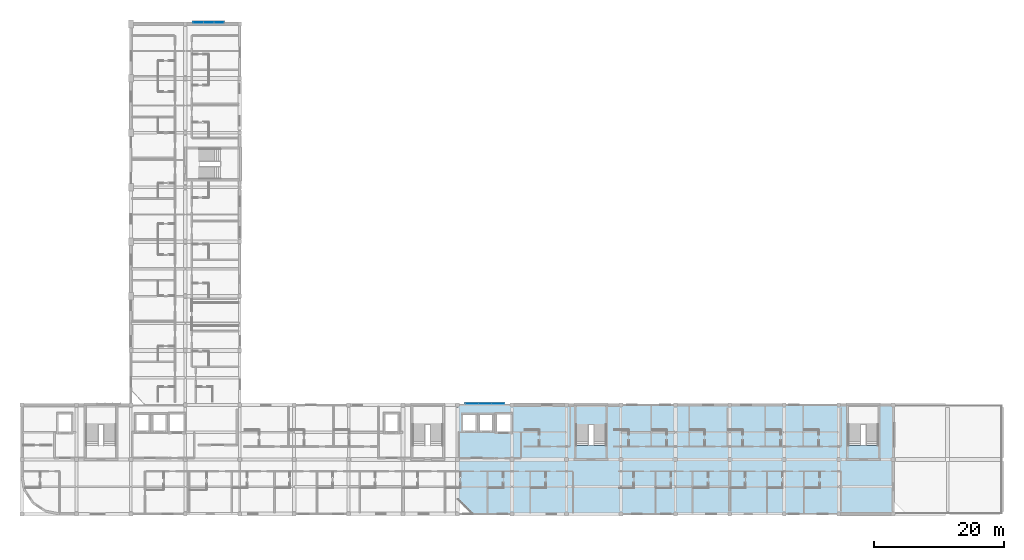
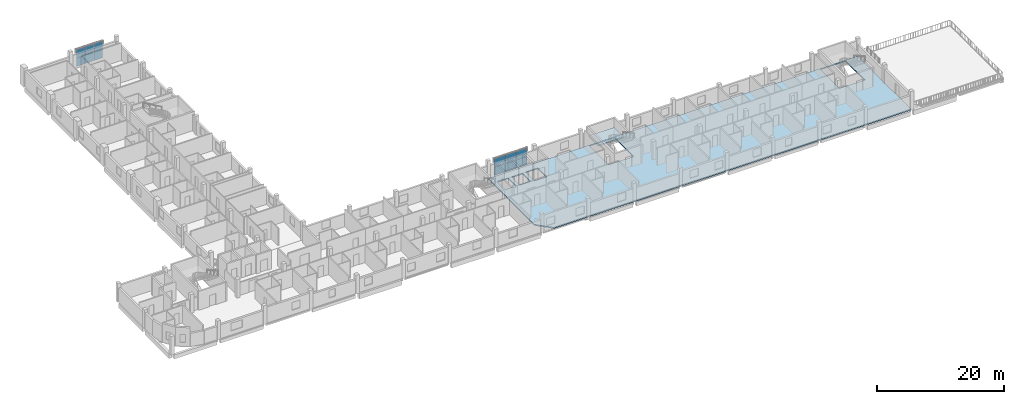
# One storey, part 9 of 25: 12 plates, 2 slabs, 3 elements without a shape of their own.
"""IFC4 building model written with IfcOpenShell, lengths in metres."""

from ifc_helpers import new_model, si_unit, derived_unit, direction, frame, origin, origin_2d, place, context, subcontext, project, spatial, polyline, rectangle, outline, extrude, material, layer, layer_set, type_object, element, aggregate, save


model = new_model("IFC4")

# Units and contexts
model_context = context("Model", 3, precision=1e-05, world=origin(), true_north=direction((0.0, 1.0)))
body_context = subcontext(model_context, "Body", "Model", "MODEL_VIEW")
ifc_project = project(units=[si_unit("LENGTHUNIT", "METRE"), si_unit("AREAUNIT", "SQUARE_METRE"), si_unit("VOLUMEUNIT", "CUBIC_METRE"), si_unit("PLANEANGLEUNIT", "RADIAN"), si_unit("MASSUNIT", "GRAM", prefix="KILO"), derived_unit("THERMALTRANSMITTANCEUNIT", [(si_unit("POWERUNIT", "WATT"), 1), (si_unit("LENGTHUNIT", "METRE"), -2), (si_unit("THERMODYNAMICTEMPERATUREUNIT", "KELVIN"), -1)])], contexts=[model_context])

# Site, building, storey
site_placement = place(None, origin())
site = spatial("IfcSite", under=ifc_project, at=site_placement, CompositionType="ELEMENT")
building_placement = place(site_placement, origin())
building = spatial("IfcBuilding", under=site, at=building_placement, Name="Barrovel Congress Hotel", CompositionType="ELEMENT")
storey_placement = place(building_placement, frame((0.0, 0.0, 25.5)))
storey = spatial("IfcBuildingStorey", under=building, at=storey_placement, Name="L06", CompositionType="ELEMENT", Elevation=25.5)

# Curtain wall, plates
ifc_material_1 = material(Name="Anodised Aluminium Alloy 6063-T6", Category="aluminium")
curtain_wall_type_1 = type_object("IfcCurtainWallType", Name="CW-UN-4800x3200", PredefinedType="USERDEFINED", material=ifc_material_1)
curtain_wall_1_placement = place(storey_placement, origin())
curtain_wall_1 = element("IfcCurtainWall", 1, at=curtain_wall_1_placement, inside=storey, type_object=curtain_wall_type_1, Name="CW:L06:UN-2", ObjectType="UNITISED CURTAIN WALL", PredefinedType="USERDEFINED")
ifc_material_2 = material(Name="Double Low-E Insulated Glazing", Category="glass")
ifc_layer_1 = layer(ifc_material_2, 0.028076171875)
ifc_layer_set_1 = layer_set([ifc_layer_1], Name="Double Low-E Insulated Glazing")
plate_type = type_object("IfcPlateType", Name="CWP-28", PredefinedType="CURTAIN_PANEL", material=ifc_layer_set_1)
plate_1_placement = place(storey_placement, frame((44.0, 80.02001953125, 0.030029296875), z_axis=(0.0, 0.0, 1.0), x_axis=(1.0, 0.0, 0.0)))
plate_1 = element("IfcPlate", 2, at=plate_1_placement, type_object=plate_type, Name="CW:L06:UN-2:P0-0", PredefinedType="CURTAIN_PANEL", context=body_context, shape_type="SweptSolid", body=[
    extrude(rectangle(XDim=1.5400390625, YDim=0.028076171875, at=origin_2d()), origin(), (0.0, 0.0, 1.0), 1.56494140625),
])
plate_2_placement = place(storey_placement, frame((44.0, 80.02001953125, 1.655029296875), z_axis=(0.0, 0.0, 1.0), x_axis=(1.0, 0.0, 0.0)))
plate_2 = element("IfcPlate", 3, at=plate_2_placement, type_object=plate_type, Name="CW:L06:UN-2:P0-1", PredefinedType="CURTAIN_PANEL", context=body_context, shape_type="SweptSolid", body=[
    extrude(rectangle(XDim=1.5400390625, YDim=0.028076171875, at=origin_2d()), origin(), (0.0, 0.0, 1.0), 1.56494140625),
])
plate_3_placement = place(storey_placement, frame((45.60009765625, 80.02001953125, 0.030029296875), z_axis=(0.0, 0.0, 1.0), x_axis=(1.0, 0.0, 0.0)))
plate_3 = element("IfcPlate", 4, at=plate_3_placement, type_object=plate_type, Name="CW:L06:UN-2:P1-0", PredefinedType="CURTAIN_PANEL", context=body_context, shape_type="SweptSolid", body=[
    extrude(rectangle(XDim=1.5400390625, YDim=0.028076171875, at=origin_2d()), origin(), (0.0, 0.0, 1.0), 1.56494140625),
])
plate_4_placement = place(storey_placement, frame((45.60009765625, 80.02001953125, 1.655029296875), z_axis=(0.0, 0.0, 1.0), x_axis=(1.0, 0.0, 0.0)))
plate_4 = element("IfcPlate", 5, at=plate_4_placement, type_object=plate_type, Name="CW:L06:UN-2:P1-1", PredefinedType="CURTAIN_PANEL", context=body_context, shape_type="SweptSolid", body=[
    extrude(rectangle(XDim=1.5400390625, YDim=0.028076171875, at=origin_2d()), origin(), (0.0, 0.0, 1.0), 1.56494140625),
])
plate_5_placement = place(storey_placement, frame((47.199951171875, 80.02001953125, 0.030029296875), z_axis=(0.0, 0.0, 1.0), x_axis=(1.0, 0.0, 0.0)))
plate_5 = element("IfcPlate", 6, at=plate_5_placement, type_object=plate_type, Name="CW:L06:UN-2:P2-0", PredefinedType="CURTAIN_PANEL", context=body_context, shape_type="SweptSolid", body=[
    extrude(rectangle(XDim=1.5400390625, YDim=0.028076171875, at=origin_2d()), origin(), (0.0, 0.0, 1.0), 1.56494140625),
])
plate_6_placement = place(storey_placement, frame((47.199951171875, 80.02001953125, 1.655029296875), z_axis=(0.0, 0.0, 1.0), x_axis=(1.0, 0.0, 0.0)))
plate_6 = element("IfcPlate", 7, at=plate_6_placement, type_object=plate_type, Name="CW:L06:UN-2:P2-1", PredefinedType="CURTAIN_PANEL", context=body_context, shape_type="SweptSolid", body=[
    extrude(rectangle(XDim=1.5400390625, YDim=0.028076171875, at=origin_2d()), origin(), (0.0, 0.0, 1.0), 1.56494140625),
])
aggregate(curtain_wall_1, [plate_1, plate_2, plate_3, plate_4, plate_5, plate_6])

curtain_wall_type_2 = type_object("IfcCurtainWallType", Name="CW-UN-6000x3200", PredefinedType="USERDEFINED", material=ifc_material_1)
curtain_wall_2_placement = place(storey_placement, origin())
curtain_wall_2 = element("IfcCurtainWall", 8, at=curtain_wall_2_placement, inside=storey, type_object=curtain_wall_type_2, Name="CW:L06:UN-4", ObjectType="UNITISED CURTAIN WALL", PredefinedType="USERDEFINED")
plate_7_placement = place(storey_placement, frame((86.199951171875, 21.219970703125, 0.030029296875), z_axis=(0.0, 0.0, 1.0), x_axis=(1.0, 0.0, 0.0)))
plate_7 = element("IfcPlate", 9, at=plate_7_placement, type_object=plate_type, Name="CW:L06:UN-4:P0-0", PredefinedType="CURTAIN_PANEL", context=body_context, shape_type="SweptSolid", body=[
    extrude(rectangle(XDim=1.93994140625, YDim=0.028076171875, at=origin_2d()), origin(), (0.0, 0.0, 1.0), 1.56494140625),
])
plate_8_placement = place(storey_placement, frame((86.199951171875, 21.219970703125, 1.655029296875), z_axis=(0.0, 0.0, 1.0), x_axis=(1.0, 0.0, 0.0)))
plate_8 = element("IfcPlate", 10, at=plate_8_placement, type_object=plate_type, Name="CW:L06:UN-4:P0-1", PredefinedType="CURTAIN_PANEL", context=body_context, shape_type="SweptSolid", body=[
    extrude(rectangle(XDim=1.93994140625, YDim=0.028076171875, at=origin_2d()), origin(), (0.0, 0.0, 1.0), 1.56494140625),
])
plate_9_placement = place(storey_placement, frame((88.199951171875, 21.219970703125, 0.030029296875), z_axis=(0.0, 0.0, 1.0), x_axis=(1.0, 0.0, 0.0)))
plate_9 = element("IfcPlate", 11, at=plate_9_placement, type_object=plate_type, Name="CW:L06:UN-4:P1-0", PredefinedType="CURTAIN_PANEL", context=body_context, shape_type="SweptSolid", body=[
    extrude(rectangle(XDim=1.93994140625, YDim=0.028076171875, at=origin_2d()), origin(), (0.0, 0.0, 1.0), 1.56494140625),
])
plate_10_placement = place(storey_placement, frame((88.199951171875, 21.219970703125, 1.655029296875), z_axis=(0.0, 0.0, 1.0), x_axis=(1.0, 0.0, 0.0)))
plate_10 = element("IfcPlate", 12, at=plate_10_placement, type_object=plate_type, Name="CW:L06:UN-4:P1-1", PredefinedType="CURTAIN_PANEL", context=body_context, shape_type="SweptSolid", body=[
    extrude(rectangle(XDim=1.93994140625, YDim=0.028076171875, at=origin_2d()), origin(), (0.0, 0.0, 1.0), 1.56494140625),
])
plate_11_placement = place(storey_placement, frame((90.199951171875, 21.219970703125, 0.030029296875), z_axis=(0.0, 0.0, 1.0), x_axis=(1.0, 0.0, 0.0)))
plate_11 = element("IfcPlate", 13, at=plate_11_placement, type_object=plate_type, Name="CW:L06:UN-4:P2-0", PredefinedType="CURTAIN_PANEL", context=body_context, shape_type="SweptSolid", body=[
    extrude(rectangle(XDim=1.93994140625, YDim=0.028076171875, at=origin_2d()), origin(), (0.0, 0.0, 1.0), 1.56494140625),
])
plate_12_placement = place(storey_placement, frame((90.199951171875, 21.219970703125, 1.655029296875), z_axis=(0.0, 0.0, 1.0), x_axis=(1.0, 0.0, 0.0)))
plate_12 = element("IfcPlate", 14, at=plate_12_placement, type_object=plate_type, Name="CW:L06:UN-4:P2-1", PredefinedType="CURTAIN_PANEL", context=body_context, shape_type="SweptSolid", body=[
    extrude(rectangle(XDim=1.93994140625, YDim=0.028076171875, at=origin_2d()), origin(), (0.0, 0.0, 1.0), 1.56494140625),
])
aggregate(curtain_wall_2, [plate_7, plate_8, plate_9, plate_10, plate_11, plate_12])

# Slab
ifc_material_3 = material(Name="Concrete C35", Category="concrete")
ifc_layer_2 = layer(ifc_material_3, 0.219970703125)
ifc_layer_set_2 = layer_set([ifc_layer_2], Name="Concrete C35")
slab_type_1 = type_object("IfcSlabType", Name="SL-F220", PredefinedType="FLOOR", material=ifc_layer_set_2)
slab_1_placement = place(storey_placement, frame((0.0, 0.0, -0.219970703125)))
element("IfcSlab", 15, at=slab_1_placement, inside=storey, type_object=slab_type_1, Name="SLAB:L06:HOT-S2", PredefinedType="FLOOR", context=body_context, shape_type="SweptSolid", body=[
    extrude(outline(polyline([(86.199951171875, 4.199951171875), (151.199951171875, 4.199951171875), (151.199951171875, 21.0), (84.0, 21.0), (84.0, 6.39990234375), (86.199951171875, 4.199951171875)]), holes=[polyline([(102.300048828125, 14.780029296875), (102.300048828125, 20.919921875), (106.89990234375, 20.919921875), (106.89990234375, 14.780029296875), (102.300048828125, 14.780029296875)]), polyline([(144.300048828125, 14.780029296875), (144.300048828125, 20.919921875), (148.89990234375, 20.919921875), (148.89990234375, 14.780029296875), (144.300048828125, 14.780029296875)]), polyline([(84.800048828125, 17.050048828125), (84.800048828125, 19.550048828125), (86.800048828125, 19.550048828125), (86.800048828125, 17.050048828125), (84.800048828125, 17.050048828125)]), polyline([(87.39990234375, 17.050048828125), (87.39990234375, 19.550048828125), (89.39990234375, 19.550048828125), (89.39990234375, 17.050048828125), (87.39990234375, 17.050048828125)]), polyline([(90.0, 16.800048828125), (90.0, 19.60009765625), (92.199951171875, 19.60009765625), (92.199951171875, 16.800048828125), (90.0, 16.800048828125)])]), origin(), (0.0, 0.0, 1.0), 0.219970703125),
])

# Stair, slab
ifc_material_4 = material(Name="Concrete C40", Category="concrete")
stair_type = type_object("IfcStairType", Name="STR-HT-360", PredefinedType="HALF_TURN_STAIR", material=ifc_material_4)
stair_placement = place(storey_placement, origin())
stair = element("IfcStair", 16, at=stair_placement, inside=storey, type_object=stair_type, Name="Exit Stair XS-03 (L06)", PredefinedType="HALF_TURN_STAIR")
ifc_layer_3 = layer(ifc_material_4, 0.22998046875)
ifc_layer_set_3 = layer_set([ifc_layer_3], Name="Concrete C40")
slab_type_2 = type_object("IfcSlabType", Name="SL-LDG-230", PredefinedType="LANDING", material=ifc_layer_set_3)
slab_2_placement = place(storey_placement, frame((0.0, 0.0, 1.570068359375)))
slab_2 = element("IfcSlab", 17, at=slab_2_placement, type_object=slab_type_2, Name="STAIR:XS-03:L06:LDG", PredefinedType="LANDING", context=body_context, shape_type="SweptSolid", body=[
    extrude(outline(polyline([(102.280029296875, 18.010009765625), (106.919921875, 18.010009765625), (106.919921875, 21.02001953125), (102.280029296875, 21.02001953125), (102.280029296875, 18.010009765625)])), origin(), (0.0, 0.0, 1.0), 0.22998046875),
])
aggregate(stair, [slab_2])

save(model, "model.ifc")
